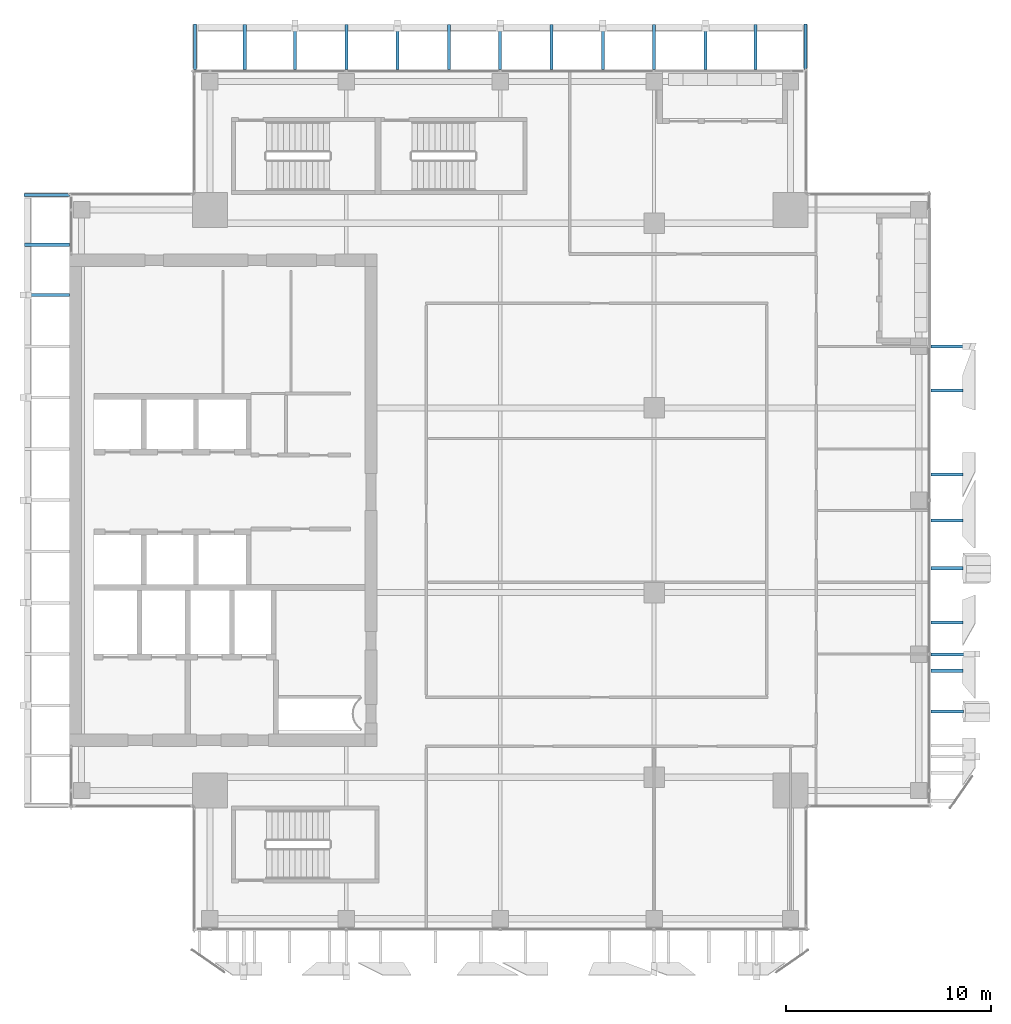
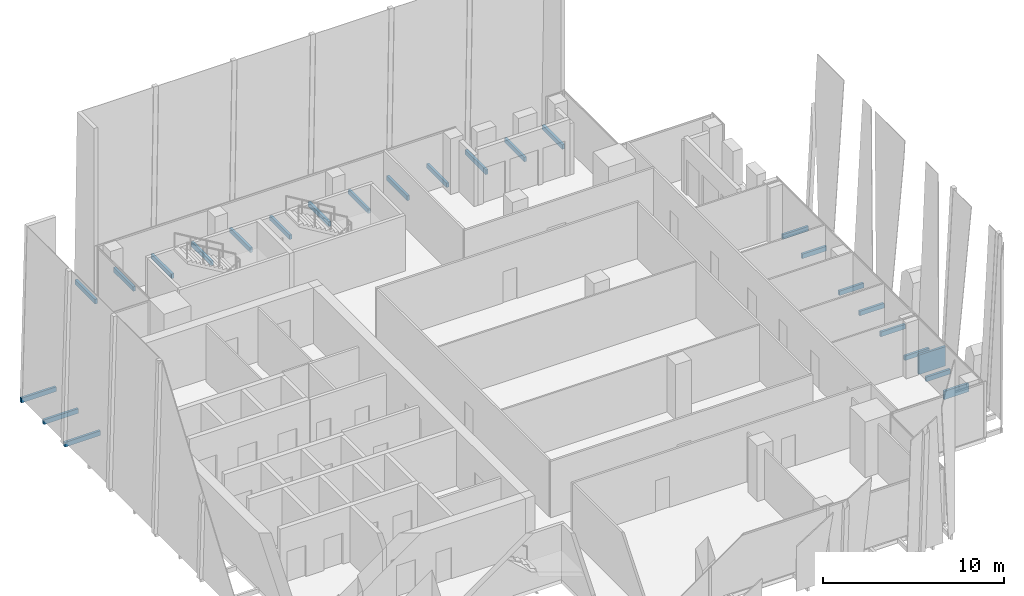
# One storey, part 29 of 33: 25 discrete accessories.
"""IFC4 building model written with IfcOpenShell, lengths in metres."""

from ifc_helpers import new_model, si_unit, direction, frame, origin, origin_2d, place, context, subcontext, project, spatial, rectangle, extrude, source, transform, mapped, material, type_object, element, save


model = new_model("IFC4")

# Units and contexts
model_context = context("Model", 3, precision=1e-05, world=origin(), true_north=direction((0.0, 1.0)))
body_context = subcontext(model_context, "Body", "Model", "MODEL_VIEW")
ifc_project = project(units=[si_unit("LENGTHUNIT", "METRE"), si_unit("AREAUNIT", "SQUARE_METRE"), si_unit("VOLUMEUNIT", "CUBIC_METRE"), si_unit("PLANEANGLEUNIT", "RADIAN"), si_unit("MASSUNIT", "GRAM", prefix="KILO")], contexts=[model_context])

# Site, building, storey
site_placement = place(None, origin())
site = spatial("IfcSite", under=ifc_project, at=site_placement, CompositionType="ELEMENT")
building_placement = place(site_placement, origin())
building = spatial("IfcBuilding", under=site, at=building_placement, Name="Khomas Fold Tower", CompositionType="ELEMENT")
storey_placement = place(building_placement, frame((0.0, 0.0, 294.199951171875)))
storey = spatial("IfcBuildingStorey", under=building, at=storey_placement, Name="L66", CompositionType="ELEMENT", Elevation=294.199951171875)

# Discrete accessories
ifc_material = material(Name="Stainless steel", Category="steel")
discrete_accessory_type = type_object("IfcDiscreteAccessoryType", Name="SK-Stainless steel stone bracket", PredefinedType="BRACKET", material=ifc_material)
shared_shape_1 = source(origin(), body_context, "Body", "SweptSolid", [
    extrude(rectangle(XDim=2.17822265625, YDim=0.14990234375, at=origin_2d()), origin(), (0.0, 0.0, 1.0), 0.31005859375),
])
for number, where, z_axis, x_axis, name in (
    (1, (14.550048828125, 49.089111328125, -0.25), (0.0, 0.0, 1.0), (0.0, 1.0, 0.0), "Stone bracket L66 PLNG01"),
    (2, (19.5, 49.089111328125, -0.25), (0.0, 0.0, 1.0), (0.0, 1.0, 0.0), "Stone bracket L66 PLNG03"),
    (3, (24.5, 49.089111328125, -0.25), (0.0, 0.0, 1.0), (0.0, 1.0, 0.0), "Stone bracket L66 PLNG05"),
    (4, (29.5, 49.089111328125, -0.25), (0.0, 0.0, 1.0), (0.0, 1.0, 0.0), "Stone bracket L66 PLNG07"),
    (5, (34.5, 49.089111328125, -0.25), (0.0, 0.0, 1.0), (0.0, 1.0, 0.0), "Stone bracket L66 PLNG09"),
    (6, (39.449951171875, 49.089111328125, -0.25), (0.0, 0.0, 1.0), (0.0, 1.0, 0.0), "Stone bracket L66 PLNG11"),
    (7, (4.910888671875, 39.449951171875, -0.25), (0.0, 0.0, 1.0), (-1.0, 0.0, 0.0), "Stone bracket L66 PLWG11"),
):
    element("IfcDiscreteAccessory", number, at=place(storey_placement, frame(where, z_axis=z_axis, x_axis=x_axis)), inside=storey, type_object=discrete_accessory_type, Name=name, PredefinedType="BRACKET", context=body_context, shape_type="MappedRepresentation", body=[
        mapped(shared_shape_1, transform((0.0, 0.0, 0.0))),
    ])
shared_shape_2 = source(origin(), body_context, "Body", "SweptSolid", [
    extrude(rectangle(XDim=1.555419921875, YDim=0.14990234375, at=origin_2d()), origin(), (0.0, 0.0, 1.0), 0.31005859375),
])
for number, where, z_axis, x_axis, name in (
    (8, (48.77783203125, 23.683349609375, -0.25), (0.0, 0.0, 1.0), (1.0, 0.0, 0.0), "Stone bracket L66 ES06-2-1"),
    (9, (48.77783203125, 21.03173828125, -0.25), (0.0, 0.0, 1.0), (1.0, 0.0, 0.0), "Stone bracket L66 EG100-5-1"),
    (10, (48.77783203125, 18.68798828125, -0.25), (0.0, 0.0, 1.0), (1.0, 0.0, 0.0), "Stone bracket L66 EG099-6-1"),
    (11, (48.77783203125, 28.248046875, -0.25), (0.0, 0.0, 1.0), (1.0, 0.0, 0.0), "Stone bracket L66 EG101-8-1"),
    (12, (48.77783203125, 26.00537109375, -0.25), (0.0, 0.0, 1.0), (1.0, 0.0, 0.0), "Stone bracket L66 EG101-9-1"),
    (13, (48.77783203125, 32.348388671875, -0.25), (0.0, 0.0, 1.0), (1.0, 0.0, 0.0), "Stone bracket L66 EG102-11-1"),
):
    element("IfcDiscreteAccessory", number, at=place(storey_placement, frame(where, z_axis=z_axis, x_axis=x_axis)), inside=storey, type_object=discrete_accessory_type, Name=name, PredefinedType="BRACKET", context=body_context, shape_type="MappedRepresentation", body=[
        mapped(shared_shape_2, transform((0.0, 0.0, 0.0))),
    ])
shared_shape_3 = source(origin(), body_context, "Body", "SweptSolid", [
    extrude(rectangle(XDim=1.568603515625, YDim=0.14990234375, at=origin_2d()), origin(), (0.0, 0.0, 1.0), 0.56005859375),
])
discrete_accessory_1_placement = place(storey_placement, frame((48.7841796875, 16.7001953125, -0.25), z_axis=(0.0, 0.0, 1.0), x_axis=(1.0, 0.0, 0.0)))
element("IfcDiscreteAccessory", 14, at=discrete_accessory_1_placement, inside=storey, type_object=discrete_accessory_type, Name="Stone bracket L66 ES03-1-1", PredefinedType="BRACKET", context=body_context, shape_type="MappedRepresentation", body=[
    mapped(shared_shape_3, transform((0.0, 0.0, 0.0))),
])
shared_shape_4 = source(origin(), body_context, "Body", "SweptSolid", [
    extrude(rectangle(XDim=1.650390625, YDim=0.14990234375, at=origin_2d()), origin(), (0.0, 0.0, 1.0), 0.31005859375),
])
discrete_accessory_2_placement = place(storey_placement, frame((48.8251953125, 34.5, -0.25), z_axis=(0.0, 0.0, 1.0), x_axis=(1.0, 0.0, 0.0)))
element("IfcDiscreteAccessory", 15, at=discrete_accessory_2_placement, inside=storey, type_object=discrete_accessory_type, Name="Stone bracket L66 EM103-10-1", PredefinedType="BRACKET", context=body_context, shape_type="MappedRepresentation", body=[
    mapped(shared_shape_4, transform((0.0, 0.0, 0.0))),
])
shared_shape_5 = source(origin(), body_context, "Body", "SweptSolid", [
    extrude(rectangle(XDim=1.702880859375, YDim=0.14990234375, at=origin_2d()), origin(), (0.0, 0.0, 1.0), 1.31005859375),
])
discrete_accessory_3_placement = place(storey_placement, frame((48.851318359375, 19.4833984375, -0.25), z_axis=(0.0, 0.0, 1.0), x_axis=(1.0, 0.0, 0.0)))
element("IfcDiscreteAccessory", 16, at=discrete_accessory_3_placement, inside=storey, type_object=discrete_accessory_type, Name="Stone bracket L66 EM100-7-1", PredefinedType="BRACKET", context=body_context, shape_type="MappedRepresentation", body=[
    mapped(shared_shape_5, transform((0.0, 0.0, 0.0))),
])
shared_shape_6 = source(origin(), body_context, "Body", "SweptSolid", [
    extrude(rectangle(XDim=2.273193359375, YDim=0.14990234375, at=origin_2d()), origin(), (0.0, 0.0, 1.0), 0.31005859375),
])
for number, where, z_axis, x_axis, name in (
    (17, (17.0, 49.136474609375, -0.25), (0.0, 0.0, 1.0), (0.0, 1.0, 0.0), "Stone bracket L66 PLNM02"),
    (18, (22.0, 49.136474609375, -0.25), (0.0, 0.0, 1.0), (0.0, 1.0, 0.0), "Stone bracket L66 PLNM04"),
    (19, (27.0, 49.136474609375, -0.25), (0.0, 0.0, 1.0), (0.0, 1.0, 0.0), "Stone bracket L66 PLNM06"),
    (20, (32.0, 49.136474609375, -0.25), (0.0, 0.0, 1.0), (0.0, 1.0, 0.0), "Stone bracket L66 PLNM08"),
    (21, (37.0, 49.136474609375, -0.25), (0.0, 0.0, 1.0), (0.0, 1.0, 0.0), "Stone bracket L66 PLNM10"),
    (22, (4.863525390625, 37.0, -0.25), (0.0, 0.0, 1.0), (-1.0, 0.0, 0.0), "Stone bracket L66 PLWM10"),
):
    element("IfcDiscreteAccessory", number, at=place(storey_placement, frame(where, z_axis=z_axis, x_axis=x_axis)), inside=storey, type_object=discrete_accessory_type, Name=name, PredefinedType="BRACKET", context=body_context, shape_type="MappedRepresentation", body=[
        mapped(shared_shape_6, transform((0.0, 0.0, 0.0))),
    ])
shared_shape_7 = source(origin(), body_context, "Body", "SweptSolid", [
    extrude(rectangle(XDim=2.21826171875, YDim=0.14990234375, at=origin_2d()), origin(), (0.0, 0.0, 1.0), 0.31005859375),
])
for number, where, z_axis, x_axis, name in (
    (23, (12.125, 49.109130859375, -0.25), (0.0, 0.0, 1.0), (0.0, 1.0, 0.0), "Stone bracket L66 PLNR1"),
    (24, (41.875, 49.109130859375, -0.25), (0.0, 0.0, 1.0), (0.0, 1.0, 0.0), "Stone bracket L66 PLNR2"),
    (25, (4.890869140625, 41.875, -0.25), (0.0, 0.0, 1.0), (-1.0, 0.0, 0.0), "Stone bracket L66 PLWR2"),
):
    element("IfcDiscreteAccessory", number, at=place(storey_placement, frame(where, z_axis=z_axis, x_axis=x_axis)), inside=storey, type_object=discrete_accessory_type, Name=name, PredefinedType="BRACKET", context=body_context, shape_type="MappedRepresentation", body=[
        mapped(shared_shape_7, transform((0.0, 0.0, 0.0))),
    ])

save(model, "model.ifc")
